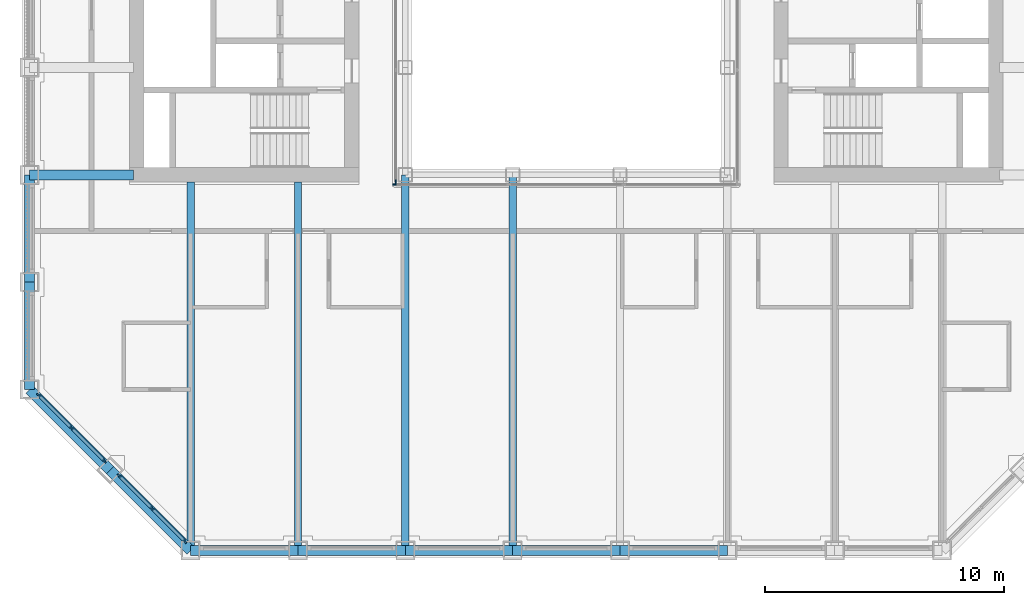
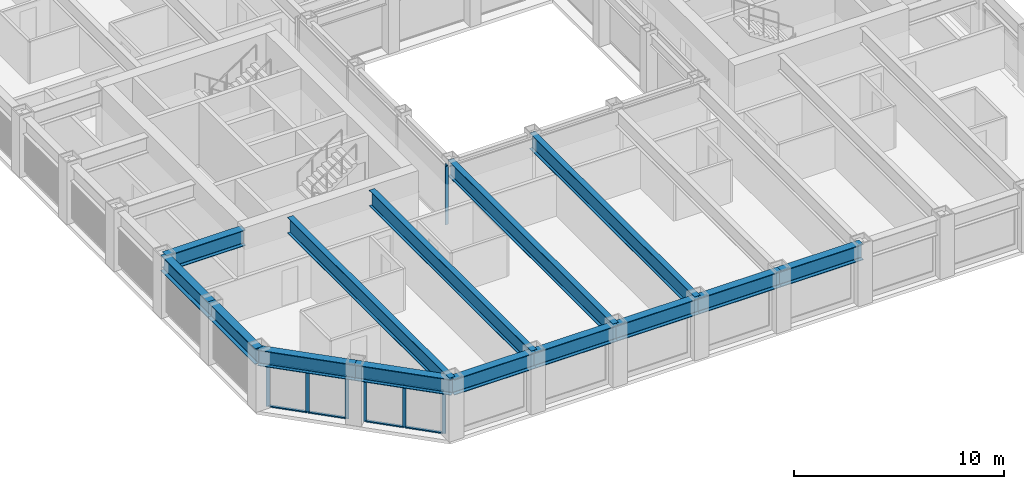
# One storey, part 2 of 17: 16 members, 14 beams, 4 elements without a shape of their own.
"""IFC4 building model written with IfcOpenShell, lengths in metres."""

from ifc_helpers import new_model, si_unit, direction, frame, origin, origin_2d, place, context, subcontext, project, spatial, rectangle, i_section, extrude, material, material_profile, profile_set, type_object, element, aggregate, save


model = new_model("IFC4")

# Units and contexts
model_context = context("Model", 3, precision=1e-05, world=origin(), true_north=direction((0.0, 1.0)))
body_context = subcontext(model_context, "Body", "Model", "MODEL_VIEW")
ifc_project = project(units=[si_unit("LENGTHUNIT", "METRE"), si_unit("AREAUNIT", "SQUARE_METRE"), si_unit("VOLUMEUNIT", "CUBIC_METRE"), si_unit("PLANEANGLEUNIT", "RADIAN"), si_unit("MASSUNIT", "GRAM", prefix="KILO")], contexts=[model_context])

# Site, building, storey
site_placement = place(None, origin())
site = spatial("IfcSite", under=ifc_project, at=site_placement, CompositionType="ELEMENT")
building_placement = place(site_placement, origin())
building = spatial("IfcBuilding", under=site, at=building_placement, Name="Msasa Ring Tower", CompositionType="ELEMENT")
storey_placement = place(building_placement, frame((0.0, 0.0, 132.800048828125)))
storey = spatial("IfcBuildingStorey", under=building, at=storey_placement, Name="L34", CompositionType="ELEMENT", Elevation=132.800048828125)

# Curtain wall, members
ifc_material_1 = material(Name="Aluminium curtain wall with clear glass", Category="aluminium")
curtain_wall_type_1 = type_object("IfcCurtainWallType", Name="CW-C CHAMFER CORNER CURTAIN WALL", PredefinedType="NOTDEFINED", material=ifc_material_1)
curtain_wall_1_placement = place(storey_placement, origin())
curtain_wall_1 = element("IfcCurtainWall", 1, at=curtain_wall_1_placement, inside=storey, type_object=curtain_wall_type_1, Name="Chamfer corner curtain wall SW L34", PredefinedType="NOTDEFINED")
ifc_material_2 = material(Name="Aluminium mullion", Category="aluminium")
ifc_material_profile_1 = material_profile(ifc_material_2, rectangle(XDim=0.06494140625, YDim=0.179931640625, at=origin_2d()), Name="AL 65x180")
ifc_profile_set_1 = profile_set([ifc_material_profile_1], Name="Aluminium mullion")
member_type_1 = type_object("IfcMemberType", Name="CW-C MULLION 65x180", PredefinedType="MULLION", material=ifc_profile_set_1)
member_1_placement = place(storey_placement, frame((-22.119873046875, -15.98876953125, 0.0), z_axis=(0.0, 0.0, 1.0), x_axis=(0.707106781187, 0.707106781187, 0.0)))
member_1 = element("IfcMember", 2, at=member_1_placement, type_object=member_type_1, Name="CW-C mullion 1", PredefinedType="MULLION", context=body_context, shape_type="SweptSolid", body=[
    extrude(rectangle(XDim=0.06494140625, YDim=0.179931640625, at=origin_2d()), origin(), (0.0, 0.0, 1.0), 2.47900390625),
])
member_2_placement = place(storey_placement, frame((-20.74169921875, -17.36669921875, 0.0), z_axis=(0.0, 0.0, 1.0), x_axis=(0.707106781187, 0.707106781187, 0.0)))
member_2 = element("IfcMember", 3, at=member_2_placement, type_object=member_type_1, Name="CW-C mullion 2", PredefinedType="MULLION", context=body_context, shape_type="SweptSolid", body=[
    extrude(rectangle(XDim=0.06494140625, YDim=0.179931640625, at=origin_2d()), origin(), (0.0, 0.0, 1.0), 2.47900390625),
])
member_3_placement = place(storey_placement, frame((-19.36376953125, -18.744873046875, 0.0), z_axis=(0.0, 0.0, 1.0), x_axis=(0.707106781187, 0.707106781187, 0.0)))
member_3 = element("IfcMember", 4, at=member_3_placement, type_object=member_type_1, Name="CW-C mullion 3", PredefinedType="MULLION", context=body_context, shape_type="SweptSolid", body=[
    extrude(rectangle(XDim=0.06494140625, YDim=0.179931640625, at=origin_2d()), origin(), (0.0, 0.0, 1.0), 2.47900390625),
])

curtain_wall_2_placement = place(storey_placement, origin())
curtain_wall_2 = element("IfcCurtainWall", 5, at=curtain_wall_2_placement, inside=storey, type_object=curtain_wall_type_1, Name="Chamfer corner curtain wall SW L34", PredefinedType="NOTDEFINED")
member_4_placement = place(storey_placement, frame((-18.744873046875, -19.36376953125, 0.0), z_axis=(0.0, 0.0, 1.0), x_axis=(0.707106781187, 0.707106781187, 0.0)))
member_4 = element("IfcMember", 6, at=member_4_placement, type_object=member_type_1, Name="CW-C mullion 1", PredefinedType="MULLION", context=body_context, shape_type="SweptSolid", body=[
    extrude(rectangle(XDim=0.06494140625, YDim=0.179931640625, at=origin_2d()), origin(), (0.0, 0.0, 1.0), 2.47900390625),
])
member_5_placement = place(storey_placement, frame((-17.36669921875, -20.74169921875, 0.0), z_axis=(0.0, 0.0, 1.0), x_axis=(0.707106781187, 0.707106781187, 0.0)))
member_5 = element("IfcMember", 7, at=member_5_placement, type_object=member_type_1, Name="CW-C mullion 2", PredefinedType="MULLION", context=body_context, shape_type="SweptSolid", body=[
    extrude(rectangle(XDim=0.06494140625, YDim=0.179931640625, at=origin_2d()), origin(), (0.0, 0.0, 1.0), 2.47900390625),
])
member_6_placement = place(storey_placement, frame((-15.98876953125, -22.119873046875, 0.0), z_axis=(0.0, 0.0, 1.0), x_axis=(0.707106781187, 0.707106781187, 0.0)))
member_6 = element("IfcMember", 8, at=member_6_placement, type_object=member_type_1, Name="CW-C mullion 3", PredefinedType="MULLION", context=body_context, shape_type="SweptSolid", body=[
    extrude(rectangle(XDim=0.06494140625, YDim=0.179931640625, at=origin_2d()), origin(), (0.0, 0.0, 1.0), 2.47900390625),
])

# Member
ifc_material_3 = material(Name="Aluminium transom", Category="aluminium")
ifc_material_profile_2 = material_profile(ifc_material_3, rectangle(XDim=0.139892578125, YDim=0.06494140625, at=origin_2d()), Name="AL 65x140")
ifc_profile_set_2 = profile_set([ifc_material_profile_2], Name="Aluminium transom")
member_type_2 = type_object("IfcMemberType", Name="CW-C TRANSOM 65x140", PredefinedType="USERDEFINED", material=ifc_profile_set_2)
member_7_placement = place(storey_placement, frame((-22.096923828125, -16.01171875, 0.032470703125), z_axis=(0.707106781187, -0.707106781187, 0.0), x_axis=(0.707106781187, 0.707106781187, 0.0)))
member_7 = element("IfcMember", 9, at=member_7_placement, type_object=member_type_2, Name="CW-C transom 1.1", ObjectType="TRANSOM", PredefinedType="USERDEFINED", context=body_context, shape_type="SweptSolid", body=[
    extrude(rectangle(XDim=0.139892578125, YDim=0.06494140625, at=origin_2d()), origin(), (0.0, 0.0, 1.0), 1.8837890625),
])

member_8_placement = place(storey_placement, frame((-22.096923828125, -16.01171875, 2.446533203125), z_axis=(0.707106781187, -0.707106781187, 0.0), x_axis=(0.707106781187, 0.707106781187, 0.0)))
member_8 = element("IfcMember", 10, at=member_8_placement, type_object=member_type_2, Name="CW-C transom 1.2", ObjectType="TRANSOM", PredefinedType="USERDEFINED", context=body_context, shape_type="SweptSolid", body=[
    extrude(rectangle(XDim=0.139892578125, YDim=0.06494140625, at=origin_2d()), origin(), (0.0, 0.0, 1.0), 1.8837890625),
])

member_9_placement = place(storey_placement, frame((-20.71875, -17.389892578125, 0.032470703125), z_axis=(0.707106781187, -0.707106781187, 0.0), x_axis=(0.707106781187, 0.707106781187, 0.0)))
member_9 = element("IfcMember", 11, at=member_9_placement, type_object=member_type_2, Name="CW-C transom 2.1", ObjectType="TRANSOM", PredefinedType="USERDEFINED", context=body_context, shape_type="SweptSolid", body=[
    extrude(rectangle(XDim=0.139892578125, YDim=0.06494140625, at=origin_2d()), origin(), (0.0, 0.0, 1.0), 1.8837890625),
])

member_10_placement = place(storey_placement, frame((-20.71875, -17.389892578125, 2.446533203125), z_axis=(0.707106781187, -0.707106781187, 0.0), x_axis=(0.707106781187, 0.707106781187, 0.0)))
member_10 = element("IfcMember", 12, at=member_10_placement, type_object=member_type_2, Name="CW-C transom 2.2", ObjectType="TRANSOM", PredefinedType="USERDEFINED", context=body_context, shape_type="SweptSolid", body=[
    extrude(rectangle(XDim=0.139892578125, YDim=0.06494140625, at=origin_2d()), origin(), (0.0, 0.0, 1.0), 1.8837890625),
])

aggregate(curtain_wall_1, [member_1, member_2, member_3, member_7, member_8, member_9, member_10])

member_11_placement = place(storey_placement, frame((-18.721923828125, -19.38671875, 0.032470703125), z_axis=(0.707106781187, -0.707106781187, 0.0), x_axis=(0.707106781187, 0.707106781187, 0.0)))
member_11 = element("IfcMember", 13, at=member_11_placement, type_object=member_type_2, Name="CW-C transom 1.1", ObjectType="TRANSOM", PredefinedType="USERDEFINED", context=body_context, shape_type="SweptSolid", body=[
    extrude(rectangle(XDim=0.139892578125, YDim=0.06494140625, at=origin_2d()), origin(), (0.0, 0.0, 1.0), 1.8837890625),
])

member_12_placement = place(storey_placement, frame((-18.721923828125, -19.38671875, 2.446533203125), z_axis=(0.707106781187, -0.707106781187, 0.0), x_axis=(0.707106781187, 0.707106781187, 0.0)))
member_12 = element("IfcMember", 14, at=member_12_placement, type_object=member_type_2, Name="CW-C transom 1.2", ObjectType="TRANSOM", PredefinedType="USERDEFINED", context=body_context, shape_type="SweptSolid", body=[
    extrude(rectangle(XDim=0.139892578125, YDim=0.06494140625, at=origin_2d()), origin(), (0.0, 0.0, 1.0), 1.8837890625),
])

member_13_placement = place(storey_placement, frame((-17.34375, -20.764892578125, 0.032470703125), z_axis=(0.707106781187, -0.707106781187, 0.0), x_axis=(0.707106781187, 0.707106781187, 0.0)))
member_13 = element("IfcMember", 15, at=member_13_placement, type_object=member_type_2, Name="CW-C transom 2.1", ObjectType="TRANSOM", PredefinedType="USERDEFINED", context=body_context, shape_type="SweptSolid", body=[
    extrude(rectangle(XDim=0.139892578125, YDim=0.06494140625, at=origin_2d()), origin(), (0.0, 0.0, 1.0), 1.8837890625),
])

member_14_placement = place(storey_placement, frame((-17.34375, -20.764892578125, 2.446533203125), z_axis=(0.707106781187, -0.707106781187, 0.0), x_axis=(0.707106781187, 0.707106781187, 0.0)))
member_14 = element("IfcMember", 16, at=member_14_placement, type_object=member_type_2, Name="CW-C transom 2.2", ObjectType="TRANSOM", PredefinedType="USERDEFINED", context=body_context, shape_type="SweptSolid", body=[
    extrude(rectangle(XDim=0.139892578125, YDim=0.06494140625, at=origin_2d()), origin(), (0.0, 0.0, 1.0), 1.8837890625),
])

aggregate(curtain_wall_2, [member_4, member_5, member_6, member_11, member_12, member_13, member_14])

# Curtain wall, member
ifc_material_4 = material(Name="Aluminium curtain wall with clear glass", Category="aluminium")
curtain_wall_type_2 = type_object("IfcCurtainWallType", Name="CW-W LIGHT WELL CURTAIN WALL", PredefinedType="NOTDEFINED", material=ifc_material_4)
curtain_wall_3_placement = place(storey_placement, origin())
curtain_wall_3 = element("IfcCurtainWall", 17, at=curtain_wall_3_placement, inside=storey, type_object=curtain_wall_type_2, Name="Light well curtain wall S L34", PredefinedType="NOTDEFINED")
ifc_material_5 = material(Name="Aluminium mullion", Category="aluminium")
ifc_material_profile_3 = material_profile(ifc_material_5, rectangle(XDim=0.06005859375, YDim=0.159912109375, at=origin_2d()), Name="AL 60x160")
ifc_profile_set_3 = profile_set([ifc_material_profile_3], Name="Aluminium mullion")
member_type_3 = type_object("IfcMemberType", Name="CW-W MULLION 60x160", PredefinedType="MULLION", material=ifc_profile_set_3)
member_15_placement = place(storey_placement, frame((-7.199951171875, -7.14990234375, 0.0), z_axis=(0.0, 0.0, 1.0), x_axis=(0.0, 1.0, 0.0)))
member_15 = element("IfcMember", 18, at=member_15_placement, type_object=member_type_3, Name="CW-W mullion 1", PredefinedType="MULLION", context=body_context, shape_type="SweptSolid", body=[
    extrude(rectangle(XDim=0.06005859375, YDim=0.159912109375, at=origin_2d()), origin(), (0.0, 0.0, 1.0), 3.39990234375),
])
aggregate(curtain_wall_3, [member_15])

curtain_wall_4_placement = place(storey_placement, origin())
curtain_wall_4 = element("IfcCurtainWall", 19, at=curtain_wall_4_placement, inside=storey, type_object=curtain_wall_type_2, Name="Light well curtain wall W L34", PredefinedType="NOTDEFINED")
member_16_placement = place(storey_placement, frame((-7.14990234375, -7.0400390625, 0.0), z_axis=(0.0, 0.0, 1.0), x_axis=(-1.0, 0.0, 0.0)))
member_16 = element("IfcMember", 20, at=member_16_placement, type_object=member_type_3, Name="CW-W mullion 1", PredefinedType="MULLION", context=body_context, shape_type="SweptSolid", body=[
    extrude(rectangle(XDim=0.06005859375, YDim=0.159912109375, at=origin_2d()), origin(), (0.0, 0.0, 1.0), 3.39990234375),
])
aggregate(curtain_wall_4, [member_16])

# Beams
ifc_material_6 = material(Name="Steel S355", Category="steel")
ifc_material_profile_4 = material_profile(ifc_material_6, i_section(OverallWidth=0.3076171875, OverallDepth=0.926513671875, WebThickness=0.01953125, FlangeThickness=0.031982421875, FilletRadius=0.01904296875, at=origin_2d()), Name="UB 914x305x289")
ifc_profile_set_4 = profile_set([ifc_material_profile_4], Name="Steel S355")
beam_type_1 = type_object("IfcBeamType", Name="FB3 UB 914x305x289", PredefinedType="BEAM", material=ifc_profile_set_4)
for number, where, z_axis, x_axis, name in (
    (21, (-15.75, -22.5, 2.936767578125), (0.0, 1.0, 0.0), (-1.0, 0.0, 0.0), "Floor beam S-15.75 under L35"),
    (22, (-11.25, -22.5, 2.936767578125), (0.0, 1.0, 0.0), (-1.0, 0.0, 0.0), "Floor beam S-11.25 under L35"),
):
    element("IfcBeam", number, at=place(storey_placement, frame(where, z_axis=z_axis, x_axis=x_axis)), inside=storey, type_object=beam_type_1, Name=name, PredefinedType="BEAM", context=body_context, shape_type="SweptSolid", body=[
        extrude(i_section(OverallWidth=0.3076171875, OverallDepth=0.926513671875, WebThickness=0.01953125, FlangeThickness=0.031982421875, FilletRadius=0.01904296875, at=origin_2d()), origin(), (0.0, 0.0, 1.0), 15.449951171875),
    ])
for number, where, z_axis, x_axis, name in (
    (23, (-6.75, -22.5, 2.936767578125), (0.0, 1.0, 0.0), (-1.0, 0.0, 0.0), "Floor beam S-6.75 under L35"),
    (24, (-2.25, -22.5, 2.936767578125), (0.0, 1.0, 0.0), (-1.0, 0.0, 0.0), "Floor beam S-2.25 under L35"),
):
    element("IfcBeam", number, at=place(storey_placement, frame(where, z_axis=z_axis, x_axis=x_axis)), inside=storey, type_object=beam_type_1, Name=name, PredefinedType="BEAM", context=body_context, shape_type="SweptSolid", body=[
        extrude(i_section(OverallWidth=0.3076171875, OverallDepth=0.926513671875, WebThickness=0.01953125, FlangeThickness=0.031982421875, FilletRadius=0.01904296875, at=origin_2d()), origin(), (0.0, 0.0, 1.0), 15.75),
    ])
ifc_material_7 = material(Name="Steel S355", Category="steel")
ifc_material_profile_5 = material_profile(ifc_material_7, i_section(OverallWidth=0.42041015625, OverallDepth=0.9208984375, WebThickness=0.021484375, FlangeThickness=0.03662109375, FilletRadius=0.024169921875, at=origin_2d()), Name="UB 914x419x388")
ifc_profile_set_5 = profile_set([ifc_material_profile_5], Name="Steel S355")
beam_type_2 = type_object("IfcBeamType", Name="GB1 UB 914x419x388", PredefinedType="BEAM", material=ifc_profile_set_5)
beam_placement = place(storey_placement, frame((-18.14990234375, -6.75, 2.939453125), z_axis=(-1.0, 0.0, 0.0), x_axis=(0.0, -1.0, 0.0)))
element("IfcBeam", 25, at=beam_placement, inside=storey, type_object=beam_type_2, Name="Girder W -6.75 under L35", PredefinedType="BEAM", context=body_context, shape_type="SweptSolid", body=[
    extrude(i_section(OverallWidth=0.42041015625, OverallDepth=0.9208984375, WebThickness=0.021484375, FlangeThickness=0.03662109375, FilletRadius=0.024169921875, at=origin_2d()), origin(), (0.0, 0.0, 1.0), 4.35009765625),
])
ifc_material_8 = material(Name="Steel S355", Category="steel")
ifc_material_profile_6 = material_profile(ifc_material_8, i_section(OverallWidth=0.42041015625, OverallDepth=0.9208984375, WebThickness=0.021484375, FlangeThickness=0.03662109375, FilletRadius=0.024169921875, at=origin_2d()), Name="UB 914x419x388")
ifc_profile_set_6 = profile_set([ifc_material_profile_6], Name="Steel S355")
beam_type_3 = type_object("IfcBeamType", Name="SB1 UB 914x419x388", PredefinedType="SPANDREL", material=ifc_profile_set_6)
for number, where, z_axis, x_axis, name in (
    (26, (-22.5, -6.75, 2.939453125), (0.0, -1.0, 0.0), (1.0, 0.0, 0.0), "Spandrel W-6.75 to W-11.25 under L35"),
    (27, (-22.5, -11.25, 2.939453125), (0.0, -1.0, 0.0), (1.0, 0.0, 0.0), "Spandrel W-11.25 to W-15.75 under L35"),
):
    element("IfcBeam", number, at=place(storey_placement, frame(where, z_axis=z_axis, x_axis=x_axis)), inside=storey, type_object=beam_type_3, Name=name, PredefinedType="SPANDREL", context=body_context, shape_type="SweptSolid", body=[
        extrude(i_section(OverallWidth=0.42041015625, OverallDepth=0.9208984375, WebThickness=0.021484375, FlangeThickness=0.03662109375, FilletRadius=0.024169921875, at=origin_2d()), origin(), (0.0, 0.0, 1.0), 4.5),
    ])
for number, where, z_axis, x_axis, name in (
    (28, (-22.5, -15.75, 2.939453125), (0.707106781187, -0.707106781187, 0.0), (0.707106781187, 0.707106781187, 0.0), "Spandrel W-15.75 to SW under L35"),
    (29, (-19.125, -19.125, 2.939453125), (0.707106781187, -0.707106781187, 0.0), (0.707106781187, 0.707106781187, 0.0), "Spandrel SW to S-15.75 under L35"),
):
    element("IfcBeam", number, at=place(storey_placement, frame(where, z_axis=z_axis, x_axis=x_axis)), inside=storey, type_object=beam_type_3, Name=name, PredefinedType="SPANDREL", context=body_context, shape_type="SweptSolid", body=[
        extrude(i_section(OverallWidth=0.42041015625, OverallDepth=0.9208984375, WebThickness=0.021484375, FlangeThickness=0.03662109375, FilletRadius=0.024169921875, at=origin_2d()), origin(), (0.0, 0.0, 1.0), 4.77294921875),
    ])
for number, where, z_axis, x_axis, name in (
    (30, (-15.75, -22.5, 2.939453125), (1.0, 0.0, 0.0), (0.0, 1.0, 0.0), "Spandrel S-15.75 to S-11.25 under L35"),
    (31, (-11.25, -22.5, 2.939453125), (1.0, 0.0, 0.0), (0.0, 1.0, 0.0), "Spandrel S-11.25 to S-6.75 under L35"),
    (32, (-6.75, -22.5, 2.939453125), (1.0, 0.0, 0.0), (0.0, 1.0, 0.0), "Spandrel S-6.75 to S-2.25 under L35"),
    (33, (-2.25, -22.5, 2.939453125), (1.0, 0.0, 0.0), (0.0, 1.0, 0.0), "Spandrel S-2.25 to S+2.25 under L35"),
    (34, (2.25, -22.5, 2.939453125), (1.0, 0.0, 0.0), (0.0, 1.0, 0.0), "Spandrel S+2.25 to S+6.75 under L35"),
):
    element("IfcBeam", number, at=place(storey_placement, frame(where, z_axis=z_axis, x_axis=x_axis)), inside=storey, type_object=beam_type_3, Name=name, PredefinedType="SPANDREL", context=body_context, shape_type="SweptSolid", body=[
        extrude(i_section(OverallWidth=0.42041015625, OverallDepth=0.9208984375, WebThickness=0.021484375, FlangeThickness=0.03662109375, FilletRadius=0.024169921875, at=origin_2d()), origin(), (0.0, 0.0, 1.0), 4.5),
    ])

save(model, "model.ifc")
